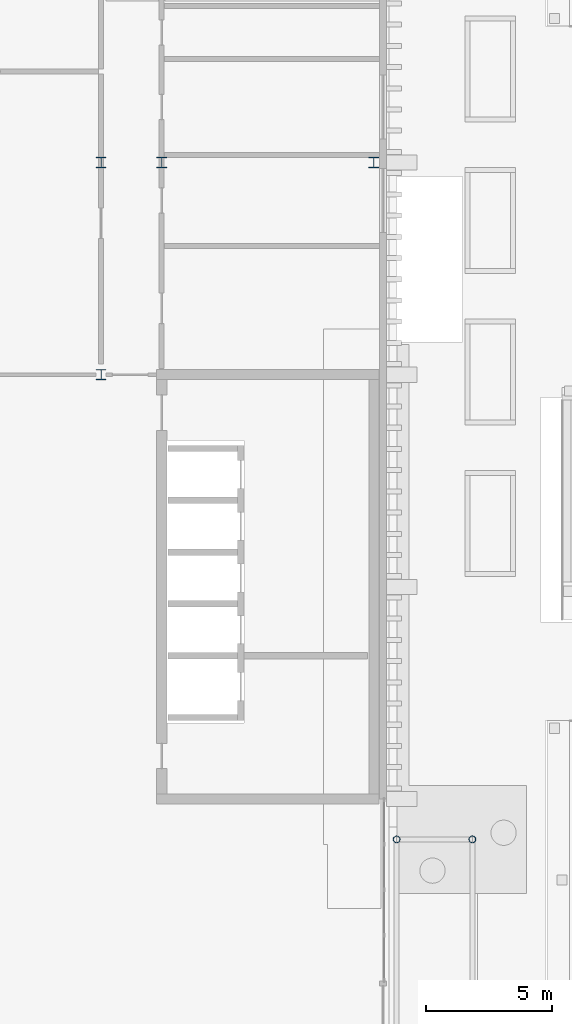
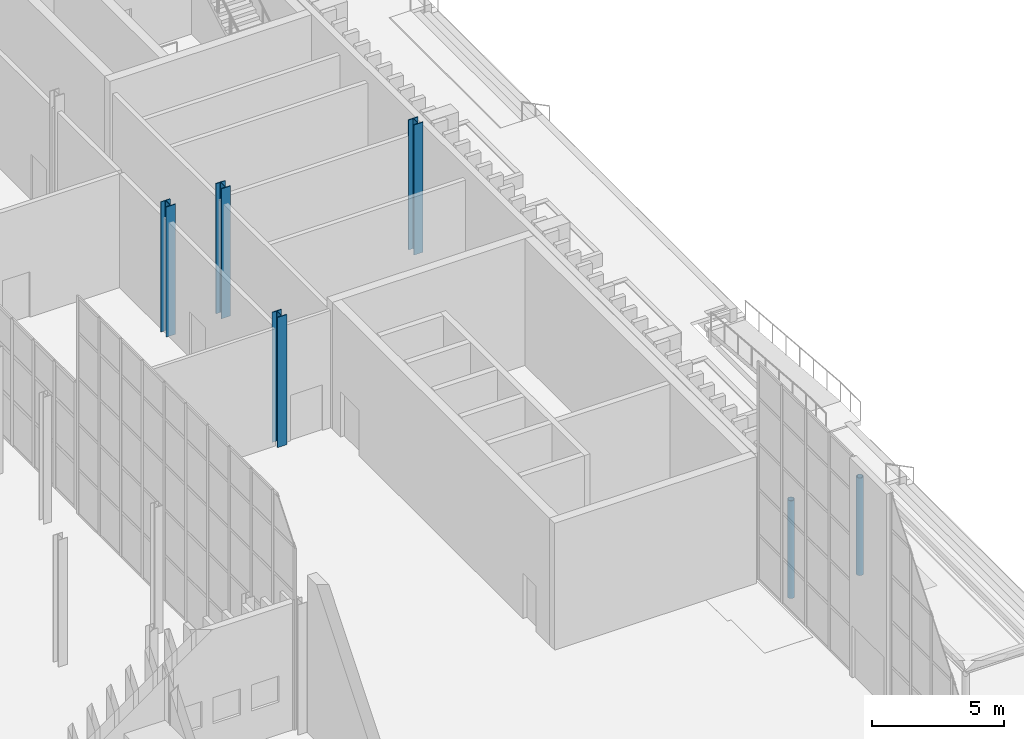
# One storey, part 32 of 108: 6 columns.
"""IFC4 building model written with IfcOpenShell, lengths in metres."""

import ifcopenshell
import ifcopenshell.guid

model = None  # the IFC model being written
_history = None  # IfcOwnerHistory: only IFC2X3 demands one
_inside = {}  # id of a spatial element -> (the spatial element, [elements in it])
_under = {}  # id of a project, library or spatial element -> (it, [spatial elements below it])
_declared = {}  # id of a project -> (the project, [libraries it declares])
_typed = {}  # id of a type object -> (the type object, [elements of that type])
_made_of = {}  # id of a material, layer set ... -> (it, [elements and type objects made of it])


def new_model(schema):
    """Start an empty IFC model of exactly this schema.

    Asked for "IFC4X3", IfcOpenShell would pick the latest addendum, in which some entities
    have other attributes; the version numbers below select the first issue.
    IFC2X3 requires an IfcOwnerHistory on every rooted entity: one is made here for all.
    """
    global model, _history
    if schema == "IFC4X3":
        model = ifcopenshell.file(schema_version=(4, 3, 0, 0))
    else:
        model = ifcopenshell.file(schema=schema)
    _inside.clear()
    _under.clear()
    _declared.clear()
    _typed.clear()
    _made_of.clear()
    _history = None
    if model.schema == "IFC2X3":
        org = make("IfcOrganization", Name="unknown")
        user = make(
            "IfcPersonAndOrganization",
            ThePerson=make("IfcPerson", FamilyName="unknown"),
            TheOrganization=org,
        )
        app = make(
            "IfcApplication",
            ApplicationDeveloper=org,
            Version="unknown",
            ApplicationFullName="unknown",
            ApplicationIdentifier="unknown",
        )
        _history = make(
            "IfcOwnerHistory",
            OwningUser=user,
            OwningApplication=app,
            ChangeAction="ADDED",
            CreationDate=0,
        )
    return model


def make(cls, **values):
    """One entity of the class cls with the attributes given. An attribute that is None is left unset."""
    return model.create_entity(
        cls, **{name: value for name, value in values.items() if value is not None}
    )


def rooted(cls, **values):
    """An entity with a GlobalId (a new one), such as an element, a storey or a relation."""
    return make(cls, GlobalId=ifcopenshell.guid.new(), OwnerHistory=_history, **values)


def si_unit(unit_type, name, prefix=None):
    """IfcSIUnit, for example si_unit("LENGTHUNIT", "METRE", prefix="MILLI")."""
    return make("IfcSIUnit", UnitType=unit_type, Prefix=prefix, Name=name)


def assignment(units):
    """IfcUnitAssignment: the units of a project."""
    return None if units is None else make("IfcUnitAssignment", Units=units)


def point(xyz):
    """IfcCartesianPoint."""
    return None if xyz is None else make("IfcCartesianPoint", Coordinates=xyz)


def direction(xyz):
    """IfcDirection."""
    return None if xyz is None else make("IfcDirection", DirectionRatios=xyz)


def frame(location, z_axis=None, x_axis=None):
    """IfcAxis2Placement3D, a coordinate frame: its origin and axes. An axis left out is left unset."""
    return make(
        "IfcAxis2Placement3D",
        Location=point(location),
        Axis=direction(z_axis),
        RefDirection=direction(x_axis),
    )


def frame_2d(location, x_axis=None):
    """IfcAxis2Placement2D, a coordinate frame in the plane: its origin and x axis."""
    return make(
        "IfcAxis2Placement2D", Location=point(location), RefDirection=direction(x_axis)
    )


def origin():
    """The frame at (0, 0, 0) with its axes left unset."""
    return frame((0.0, 0.0, 0.0))


def origin_2d():
    """The frame at (0, 0) in the plane with its x axis left unset."""
    return frame_2d((0.0, 0.0))


def place(relative_to, where):
    """IfcLocalPlacement: puts the frame where relative to a parent placement (None: the world)."""
    return make(
        "IfcLocalPlacement", PlacementRelTo=relative_to, RelativePlacement=where
    )


def context(
    kind, dimensions, precision=None, world=None, true_north=None, identifier=None
):
    """IfcGeometricRepresentationContext, for example the 3D "Model" context."""
    return make(
        "IfcGeometricRepresentationContext",
        ContextIdentifier=identifier,
        ContextType=kind,
        CoordinateSpaceDimension=dimensions,
        Precision=precision,
        WorldCoordinateSystem=world,
        TrueNorth=true_north,
    )


def subcontext(parent, identifier, kind, view, scale=None):
    """IfcGeometricRepresentationSubContext, for example "Body" below "Model"."""
    return make(
        "IfcGeometricRepresentationSubContext",
        ContextIdentifier=identifier,
        ContextType=kind,
        ParentContext=parent,
        TargetScale=scale,
        TargetView=view,
    )


def project(units=None, contexts=None):
    """IfcProject with its units and contexts."""
    return rooted(
        "IfcProject",
        Name="project",
        RepresentationContexts=contexts,
        UnitsInContext=assignment(units),
    )


def spatial(cls, under=None, at=None, **own):
    """A site, building, storey or space (cls), placed at a placement, below another one or the project."""
    s = rooted(cls, ObjectPlacement=at, **own)
    if under is not None:
        _under.setdefault(under.id(), (under, []))[1].append(s)
    return s


def profile(cls, at=None, kind="AREA", **sizes):
    """A parametric profile (cls). Its sizes go by their IFC names, for example OverallWidth=200.0."""
    return make(cls, ProfileType=kind, Position=at, **sizes)


def hollow_circle(**sizes):
    """IfcCircleHollowProfileDef."""
    return profile("IfcCircleHollowProfileDef", **sizes)


def i_section(**sizes):
    """IfcIShapeProfileDef."""
    return profile("IfcIShapeProfileDef", **sizes)


def extrude(swept, where, along, depth):
    """IfcExtrudedAreaSolid: the profile swept, set in the frame where, extruded along a direction by depth."""
    return make(
        "IfcExtrudedAreaSolid",
        SweptArea=swept,
        Position=where,
        ExtrudedDirection=direction(along),
        Depth=depth,
    )


def shape(context_of_items, identifier, shape_type, items):
    """IfcShapeRepresentation: the items that make up one representation, for example the "Body"."""
    return make(
        "IfcShapeRepresentation",
        ContextOfItems=context_of_items,
        RepresentationIdentifier=identifier,
        RepresentationType=shape_type,
        Items=items,
    )


def material(Name=None, Category=None):
    """IfcMaterial."""
    return make("IfcMaterial", Name=Name, Category=Category)


def material_profile(
    of_material, cross_section, Name=None, Category=None, Priority=None
):
    """IfcMaterialProfile: a cross section and its material."""
    return make(
        "IfcMaterialProfile",
        Name=Name,
        Material=of_material,
        Profile=cross_section,
        Priority=Priority,
        Category=Category,
    )


def profile_set(profiles, Name=None, composite=None):
    """IfcMaterialProfileSet."""
    return make(
        "IfcMaterialProfileSet",
        Name=Name,
        MaterialProfiles=profiles,
        CompositeProfile=composite,
    )


def made_of(thing, what):
    """Note that an element or type object is made of a material, layer set ...; save() writes the relation."""
    if what is not None:
        _made_of.setdefault(what.id(), (what, []))[1].append(thing)
    return thing


def type_object(cls, material=None, **own):
    """A type object (cls), such as IfcWallType, which elements share."""
    return made_of(rooted(cls, **own), material)


def element(
    cls,
    number,
    at=None,
    inside=None,
    cuts=None,
    type_object=None,
    material=None,
    context=None,
    identifier="Body",
    shape_type=None,
    held_by="IfcProductDefinitionShape",
    body=None,
    shapes=None,
    **own,
):
    """One element of the class cls, such as IfcWall. Its Tag is "e" and its number.

    at: its placement. inside: the storey or other place that contains it. cuts: it is an
    opening in that element (IfcRelVoidsElement). A single representation is given by context,
    identifier, shape_type and body (its items); several are given by shapes. held_by: the class
    of the entity that holds the representations. save() writes the other relations.
    """
    e = rooted(cls, Tag="e%d" % number, ObjectPlacement=at, **own)
    if body is not None:
        shapes = [shape(context, identifier, shape_type, body)]
    if shapes is not None:
        e.Representation = make(held_by, Representations=shapes)
    if inside is not None:
        _inside.setdefault(inside.id(), (inside, []))[1].append(e)
    if cuts is not None:
        rooted(
            "IfcRelVoidsElement", RelatingBuildingElement=cuts, RelatedOpeningElement=e
        )
    if type_object is not None:
        _typed.setdefault(type_object.id(), (type_object, []))[1].append(e)
    return made_of(e, material)


def aggregate(whole, parts):
    """IfcRelAggregates: a whole, such as a stair, and the parts it consists of."""
    return rooted("IfcRelAggregates", RelatingObject=whole, RelatedObjects=parts)


def save(model, path):
    """Write the relations noted so far, then the file.

    IfcRelAggregates (storeys below a building ...), IfcRelContainedInSpatialStructure (elements
    in a storey), IfcRelDefinesByType, IfcRelAssociatesMaterial and IfcRelDeclares: one each for
    every whole, place, type object, material and project.
    """
    for whole, parts in _under.values():
        aggregate(whole, parts)
    for where, things in _inside.values():
        rooted(
            "IfcRelContainedInSpatialStructure",
            RelatedElements=things,
            RelatingStructure=where,
        )
    for kind, things in _typed.values():
        rooted("IfcRelDefinesByType", RelatedObjects=things, RelatingType=kind)
    for what, things in _made_of.values():
        rooted("IfcRelAssociatesMaterial", RelatedObjects=things, RelatingMaterial=what)
    for by, libraries in _declared.values():
        rooted("IfcRelDeclares", RelatingContext=by, RelatedDefinitions=libraries)
    model.write(path)


model = new_model("IFC4")

# Units and contexts
model_context = context("Model", 3, precision=1e-05, world=origin(), true_north=direction((0.0, 1.0)))
body_context = subcontext(model_context, "Body", "Model", "MODEL_VIEW")
ifc_project = project(units=[si_unit("LENGTHUNIT", "METRE"), si_unit("AREAUNIT", "SQUARE_METRE"), si_unit("VOLUMEUNIT", "CUBIC_METRE"), si_unit("PLANEANGLEUNIT", "RADIAN"), si_unit("MASSUNIT", "GRAM", prefix="KILO")], contexts=[model_context])

# Site, building, storey
site_placement = place(None, origin())
site = spatial("IfcSite", under=ifc_project, at=site_placement, CompositionType="ELEMENT")
building_placement = place(site_placement, origin())
building = spatial("IfcBuilding", under=site, at=building_placement, Name="Cresset Court Congress Hotel", CompositionType="ELEMENT")
storey_placement = place(building_placement, origin())
storey = spatial("IfcBuildingStorey", under=building, at=storey_placement, Name="L00", CompositionType="ELEMENT", Elevation=0.0)

# Columns
ifc_material_1 = material(Name="Structural steel Q355B", Category="steel")
ifc_material_profile_1 = material_profile(ifc_material_1, hollow_circle(Radius=0.136474609375, WallThickness=0.011962890625, at=origin_2d()), Name="CHS273x12")
ifc_profile_set_1 = profile_set([ifc_material_profile_1], Name="Structural steel Q355B")
column_type_1 = type_object("IfcColumnType", Name="Canopy column CHS273x12", PredefinedType="COLUMN", material=ifc_profile_set_1)
for number, where, z_axis, x_axis, name in (
    (1, (177.300048828125, 23.60009765625, 0.0), (0.0, 0.0, 1.0), (1.0, 0.0, 0.0), "Canopy column 2A"),
    (2, (180.300048828125, 23.60009765625, 0.0), (0.0, 0.0, 1.0), (1.0, 0.0, 0.0), "Canopy column 2B"),
):
    element("IfcColumn", number, at=place(storey_placement, frame(where, z_axis=z_axis, x_axis=x_axis)), inside=storey, type_object=column_type_1, Name=name, PredefinedType="COLUMN", context=body_context, shape_type="SweptSolid", body=[
        extrude(hollow_circle(Radius=0.136474609375, WallThickness=0.011962890625, at=origin_2d()), origin(), (0.0, 0.0, 1.0), 4.50390625),
    ])
ifc_material_2 = material(Name="Structural steel Q355B", Category="steel")
ifc_material_profile_2 = material_profile(ifc_material_2, i_section(OverallWidth=0.406982421875, OverallDepth=0.427978515625, WebThickness=0.02001953125, FlangeThickness=0.034912109375, FilletRadius=0.02197265625, at=origin_2d()), Name="HW428x407x20x35")
ifc_profile_set_2 = profile_set([ifc_material_profile_2], Name="Structural steel Q355B")
column_type_2 = type_object("IfcColumnType", Name="Steel column HW428x407x20x35", PredefinedType="COLUMN", material=ifc_profile_set_2)
for number, where, z_axis, x_axis, name in (
    (3, (165.60009765625, 42.0, 0.0), (0.0, 0.0, 1.0), (1.0, 0.0, 0.0), "Column L00 6-21"),
    (4, (165.60009765625, 50.39990234375, 0.0), (0.0, 0.0, 1.0), (1.0, 0.0, 0.0), "Column L00 7-21"),
    (5, (168.0, 50.39990234375, 0.0), (0.0, 0.0, 1.0), (1.0, 0.0, 0.0), "Column L00 7-22"),
    (6, (176.39990234375, 50.39990234375, 0.0), (0.0, 0.0, 1.0), (1.0, 0.0, 0.0), "Column L00 7-23"),
):
    element("IfcColumn", number, at=place(storey_placement, frame(where, z_axis=z_axis, x_axis=x_axis)), inside=storey, type_object=column_type_2, Name=name, PredefinedType="COLUMN", context=body_context, shape_type="SweptSolid", body=[
        extrude(i_section(OverallWidth=0.406982421875, OverallDepth=0.427978515625, WebThickness=0.02001953125, FlangeThickness=0.034912109375, FilletRadius=0.02197265625, at=origin_2d()), origin(), (0.0, 0.0, 1.0), 6.0),
    ])

save(model, "model.ifc")
